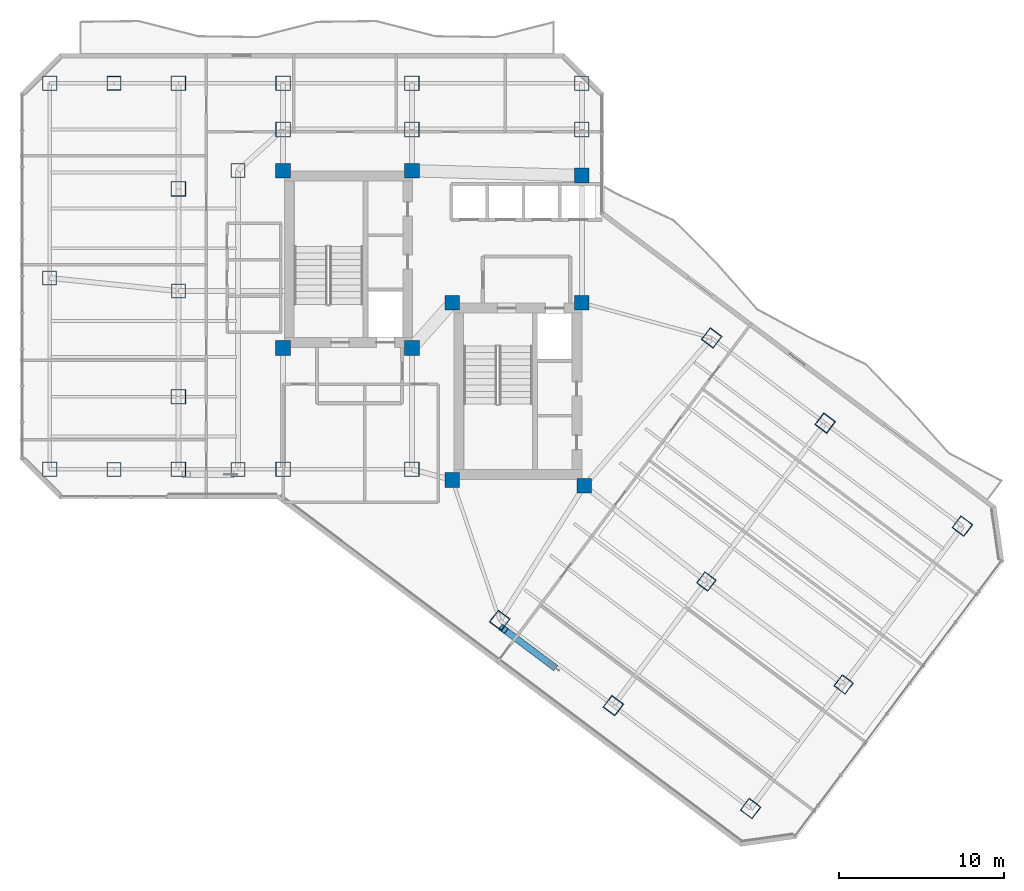
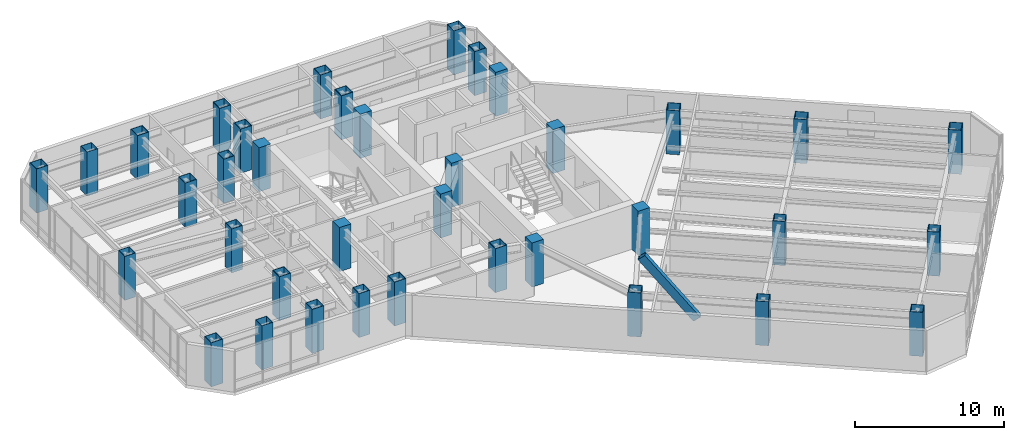
# One storey, part 1 of 31: 37 columns, 1 member.
"""IFC4 building model written with IfcOpenShell, lengths in metres."""

import ifcopenshell
import ifcopenshell.guid

model = None  # the IFC model being written
_history = None  # IfcOwnerHistory: only IFC2X3 demands one
_inside = {}  # id of a spatial element -> (the spatial element, [elements in it])
_under = {}  # id of a project, library or spatial element -> (it, [spatial elements below it])
_declared = {}  # id of a project -> (the project, [libraries it declares])
_typed = {}  # id of a type object -> (the type object, [elements of that type])
_made_of = {}  # id of a material, layer set ... -> (it, [elements and type objects made of it])


def new_model(schema):
    """Start an empty IFC model of exactly this schema.

    Asked for "IFC4X3", IfcOpenShell would pick the latest addendum, in which some entities
    have other attributes; the version numbers below select the first issue.
    IFC2X3 requires an IfcOwnerHistory on every rooted entity: one is made here for all.
    """
    global model, _history
    if schema == "IFC4X3":
        model = ifcopenshell.file(schema_version=(4, 3, 0, 0))
    else:
        model = ifcopenshell.file(schema=schema)
    _inside.clear()
    _under.clear()
    _declared.clear()
    _typed.clear()
    _made_of.clear()
    _history = None
    if model.schema == "IFC2X3":
        org = make("IfcOrganization", Name="unknown")
        user = make(
            "IfcPersonAndOrganization",
            ThePerson=make("IfcPerson", FamilyName="unknown"),
            TheOrganization=org,
        )
        app = make(
            "IfcApplication",
            ApplicationDeveloper=org,
            Version="unknown",
            ApplicationFullName="unknown",
            ApplicationIdentifier="unknown",
        )
        _history = make(
            "IfcOwnerHistory",
            OwningUser=user,
            OwningApplication=app,
            ChangeAction="ADDED",
            CreationDate=0,
        )
    return model


def make(cls, **values):
    """One entity of the class cls with the attributes given. An attribute that is None is left unset."""
    return model.create_entity(
        cls, **{name: value for name, value in values.items() if value is not None}
    )


def rooted(cls, **values):
    """An entity with a GlobalId (a new one), such as an element, a storey or a relation."""
    return make(cls, GlobalId=ifcopenshell.guid.new(), OwnerHistory=_history, **values)


def si_unit(unit_type, name, prefix=None):
    """IfcSIUnit, for example si_unit("LENGTHUNIT", "METRE", prefix="MILLI")."""
    return make("IfcSIUnit", UnitType=unit_type, Prefix=prefix, Name=name)


def assignment(units):
    """IfcUnitAssignment: the units of a project."""
    return None if units is None else make("IfcUnitAssignment", Units=units)


def point(xyz):
    """IfcCartesianPoint."""
    return None if xyz is None else make("IfcCartesianPoint", Coordinates=xyz)


def direction(xyz):
    """IfcDirection."""
    return None if xyz is None else make("IfcDirection", DirectionRatios=xyz)


def frame(location, z_axis=None, x_axis=None):
    """IfcAxis2Placement3D, a coordinate frame: its origin and axes. An axis left out is left unset."""
    return make(
        "IfcAxis2Placement3D",
        Location=point(location),
        Axis=direction(z_axis),
        RefDirection=direction(x_axis),
    )


def frame_2d(location, x_axis=None):
    """IfcAxis2Placement2D, a coordinate frame in the plane: its origin and x axis."""
    return make(
        "IfcAxis2Placement2D", Location=point(location), RefDirection=direction(x_axis)
    )


def origin():
    """The frame at (0, 0, 0) with its axes left unset."""
    return frame((0.0, 0.0, 0.0))


def origin_2d():
    """The frame at (0, 0) in the plane with its x axis left unset."""
    return frame_2d((0.0, 0.0))


def place(relative_to, where):
    """IfcLocalPlacement: puts the frame where relative to a parent placement (None: the world)."""
    return make(
        "IfcLocalPlacement", PlacementRelTo=relative_to, RelativePlacement=where
    )


def context(
    kind, dimensions, precision=None, world=None, true_north=None, identifier=None
):
    """IfcGeometricRepresentationContext, for example the 3D "Model" context."""
    return make(
        "IfcGeometricRepresentationContext",
        ContextIdentifier=identifier,
        ContextType=kind,
        CoordinateSpaceDimension=dimensions,
        Precision=precision,
        WorldCoordinateSystem=world,
        TrueNorth=true_north,
    )


def subcontext(parent, identifier, kind, view, scale=None):
    """IfcGeometricRepresentationSubContext, for example "Body" below "Model"."""
    return make(
        "IfcGeometricRepresentationSubContext",
        ContextIdentifier=identifier,
        ContextType=kind,
        ParentContext=parent,
        TargetScale=scale,
        TargetView=view,
    )


def project(units=None, contexts=None):
    """IfcProject with its units and contexts."""
    return rooted(
        "IfcProject",
        Name="project",
        RepresentationContexts=contexts,
        UnitsInContext=assignment(units),
    )


def spatial(cls, under=None, at=None, **own):
    """A site, building, storey or space (cls), placed at a placement, below another one or the project."""
    s = rooted(cls, ObjectPlacement=at, **own)
    if under is not None:
        _under.setdefault(under.id(), (under, []))[1].append(s)
    return s


def profile(cls, at=None, kind="AREA", **sizes):
    """A parametric profile (cls). Its sizes go by their IFC names, for example OverallWidth=200.0."""
    return make(cls, ProfileType=kind, Position=at, **sizes)


def rectangle(**sizes):
    """IfcRectangleProfileDef."""
    return profile("IfcRectangleProfileDef", **sizes)


def hollow_rectangle(**sizes):
    """IfcRectangleHollowProfileDef."""
    return profile("IfcRectangleHollowProfileDef", **sizes)


def extrude(swept, where, along, depth):
    """IfcExtrudedAreaSolid: the profile swept, set in the frame where, extruded along a direction by depth."""
    return make(
        "IfcExtrudedAreaSolid",
        SweptArea=swept,
        Position=where,
        ExtrudedDirection=direction(along),
        Depth=depth,
    )


def shape(context_of_items, identifier, shape_type, items):
    """IfcShapeRepresentation: the items that make up one representation, for example the "Body"."""
    return make(
        "IfcShapeRepresentation",
        ContextOfItems=context_of_items,
        RepresentationIdentifier=identifier,
        RepresentationType=shape_type,
        Items=items,
    )


def material(Name=None, Category=None):
    """IfcMaterial."""
    return make("IfcMaterial", Name=Name, Category=Category)


def material_profile(
    of_material, cross_section, Name=None, Category=None, Priority=None
):
    """IfcMaterialProfile: a cross section and its material."""
    return make(
        "IfcMaterialProfile",
        Name=Name,
        Material=of_material,
        Profile=cross_section,
        Priority=Priority,
        Category=Category,
    )


def profile_set(profiles, Name=None, composite=None):
    """IfcMaterialProfileSet."""
    return make(
        "IfcMaterialProfileSet",
        Name=Name,
        MaterialProfiles=profiles,
        CompositeProfile=composite,
    )


def made_of(thing, what):
    """Note that an element or type object is made of a material, layer set ...; save() writes the relation."""
    if what is not None:
        _made_of.setdefault(what.id(), (what, []))[1].append(thing)
    return thing


def type_object(cls, material=None, **own):
    """A type object (cls), such as IfcWallType, which elements share."""
    return made_of(rooted(cls, **own), material)


def element(
    cls,
    number,
    at=None,
    inside=None,
    cuts=None,
    type_object=None,
    material=None,
    context=None,
    identifier="Body",
    shape_type=None,
    held_by="IfcProductDefinitionShape",
    body=None,
    shapes=None,
    **own,
):
    """One element of the class cls, such as IfcWall. Its Tag is "e" and its number.

    at: its placement. inside: the storey or other place that contains it. cuts: it is an
    opening in that element (IfcRelVoidsElement). A single representation is given by context,
    identifier, shape_type and body (its items); several are given by shapes. held_by: the class
    of the entity that holds the representations. save() writes the other relations.
    """
    e = rooted(cls, Tag="e%d" % number, ObjectPlacement=at, **own)
    if body is not None:
        shapes = [shape(context, identifier, shape_type, body)]
    if shapes is not None:
        e.Representation = make(held_by, Representations=shapes)
    if inside is not None:
        _inside.setdefault(inside.id(), (inside, []))[1].append(e)
    if cuts is not None:
        rooted(
            "IfcRelVoidsElement", RelatingBuildingElement=cuts, RelatedOpeningElement=e
        )
    if type_object is not None:
        _typed.setdefault(type_object.id(), (type_object, []))[1].append(e)
    return made_of(e, material)


def aggregate(whole, parts):
    """IfcRelAggregates: a whole, such as a stair, and the parts it consists of."""
    return rooted("IfcRelAggregates", RelatingObject=whole, RelatedObjects=parts)


def save(model, path):
    """Write the relations noted so far, then the file.

    IfcRelAggregates (storeys below a building ...), IfcRelContainedInSpatialStructure (elements
    in a storey), IfcRelDefinesByType, IfcRelAssociatesMaterial and IfcRelDeclares: one each for
    every whole, place, type object, material and project.
    """
    for whole, parts in _under.values():
        aggregate(whole, parts)
    for where, things in _inside.values():
        rooted(
            "IfcRelContainedInSpatialStructure",
            RelatedElements=things,
            RelatingStructure=where,
        )
    for kind, things in _typed.values():
        rooted("IfcRelDefinesByType", RelatedObjects=things, RelatingType=kind)
    for what, things in _made_of.values():
        rooted("IfcRelAssociatesMaterial", RelatedObjects=things, RelatingMaterial=what)
    for by, libraries in _declared.values():
        rooted("IfcRelDeclares", RelatingContext=by, RelatedDefinitions=libraries)
    model.write(path)


model = new_model("IFC4")

# Units and contexts
model_context = context("Model", 3, precision=1e-05, world=origin(), true_north=direction((0.0, 1.0)))
body_context = subcontext(model_context, "Body", "Model", "MODEL_VIEW")
ifc_project = project(units=[si_unit("LENGTHUNIT", "METRE"), si_unit("AREAUNIT", "SQUARE_METRE"), si_unit("VOLUMEUNIT", "CUBIC_METRE"), si_unit("PLANEANGLEUNIT", "RADIAN"), si_unit("MASSUNIT", "GRAM", prefix="KILO")], contexts=[model_context])

# Site, building, storey
site_placement = place(None, origin())
site = spatial("IfcSite", under=ifc_project, at=site_placement, CompositionType="ELEMENT")
building_placement = place(site_placement, origin())
building = spatial("IfcBuilding", under=site, at=building_placement, Name="Hatsunagi Terrace Concourse", CompositionType="ELEMENT")
storey_placement = place(building_placement, frame((0.0, 0.0, 122.85009765625)))
storey = spatial("IfcBuildingStorey", under=building, at=storey_placement, Name="L32", CompositionType="ELEMENT", Elevation=122.85009765625)

# Columns
ifc_material_1 = material(Name="Concrete Fc48", Category="concrete")
ifc_material_profile_1 = material_profile(ifc_material_1, rectangle(XDim=0.89990234375, YDim=0.89990234375, at=origin_2d()), Name="RC-900x900")
ifc_profile_set_1 = profile_set([ifc_material_profile_1], Name="Concrete Fc48")
column_type_1 = type_object("IfcColumnType", Name="CoreColumn_RC_900x900", PredefinedType="COLUMN", material=ifc_profile_set_1)
for number, where, z_axis, x_axis, name in (
    (1, (25.550048828125, 32.550048828125, 0.0), (0.0, 0.0, 1.0), (1.0, 0.0, 0.0), "Column C-02 L32-CASW"),
    (2, (33.35009765625, 32.550048828125, 0.0), (0.0, 0.0, 1.0), (1.0, 0.0, 0.0), "Column C-02 L32-CASE"),
    (3, (25.550048828125, 43.300048828125, 0.0), (0.0, 0.0, 1.0), (1.0, 0.0, 0.0), "Column C-02 L32-CANW"),
    (4, (33.35009765625, 43.300048828125, 0.0), (0.0, 0.0, 1.0), (1.0, 0.0, 0.0), "Column C-02 L32-CANE"),
    (5, (35.800048828125, 24.550048828125, 0.0), (0.0, 0.0, 1.0), (1.0, 0.0, 0.0), "Column C-02 L32-CBSW"),
    (6, (43.800048828125, 24.199951171875, 0.0), (0.0, 0.0, 1.0), (1.0, 0.0, 0.0), "Column C-02 L32-CBSE"),
    (7, (35.800048828125, 35.300048828125, 0.0), (0.0, 0.0, 1.0), (1.0, 0.0, 0.0), "Column C-02 L32-CBNW"),
    (8, (43.64990234375, 35.300048828125, 0.0), (0.0, 0.0, 1.0), (1.0, 0.0, 0.0), "Column C-02 L32-CBNE"),
    (9, (43.64990234375, 43.0, 0.0), (0.0, 0.0, 1.0), (1.0, 0.0, 0.0), "Column C-02 L32-K3"),
):
    element("IfcColumn", number, at=place(storey_placement, frame(where, z_axis=z_axis, x_axis=x_axis)), inside=storey, type_object=column_type_1, Name=name, PredefinedType="COLUMN", context=body_context, shape_type="SweptSolid", body=[
        extrude(rectangle(XDim=0.89990234375, YDim=0.89990234375, at=origin_2d()), origin(), (0.0, 0.0, 1.0), 3.599853515625),
    ])
ifc_material_2 = material(Name="Steel BCP325T", Category="steel")
ifc_material_profile_2 = material_profile(ifc_material_2, hollow_rectangle(XDim=0.85009765625, YDim=0.85009765625, WallThickness=0.031982421875, at=origin_2d()), Name="BCP-850x850x32")
ifc_profile_set_2 = profile_set([ifc_material_profile_2], Name="Steel BCP325T")
column_type_2 = type_object("IfcColumnType", Name="TowerBoxColumn_850x850x32", PredefinedType="COLUMN", material=ifc_profile_set_2)
for number, where, z_axis, x_axis, name in (
    (10, (22.800048828125, 25.199951171875, 0.0), (0.0, 0.0, 1.0), (1.0, 0.0, 0.0), "Column C-05 L32-CW1"),
    (11, (22.800048828125, 43.300048828125, 0.0), (0.0, 0.0, 1.0), (1.0, 0.0, 0.0), "Column C-05 L32-CW2"),
    (12, (11.39990234375, 36.800048828125, 0.0), (0.0, 0.0, 1.0), (1.0, 0.0, 0.0), "Column C-05 L32-WT1"),
    (13, (19.199951171875, 36.0, 0.0), (0.0, 0.0, 1.0), (1.0, 0.0, 0.0), "Column C-05 L32-WT2"),
    (14, (15.300048828125, 25.199951171875, 0.0), (0.0, 0.0, 1.0), (1.0, 0.0, 0.0), "Column C-05 L32-WT3"),
    (15, (15.300048828125, 48.60009765625, 0.0), (0.0, 0.0, 1.0), (1.0, 0.0, 0.0), "Column C-05 L32-WT4"),
    (16, (51.199951171875, 18.39990234375, 0.0), (0.0, 0.0, 1.0), (0.799999996291, -0.600000004945, 0.0), "Column C-05 L32-SEM2"),
    (17, (59.52001953125, 12.159912109375, 0.0), (0.0, 0.0, 1.0), (0.799999996291, -0.600000004945, 0.0), "Column C-05 L32-SEM3"),
):
    element("IfcColumn", number, at=place(storey_placement, frame(where, z_axis=z_axis, x_axis=x_axis)), inside=storey, type_object=column_type_2, Name=name, PredefinedType="COLUMN", context=body_context, shape_type="SweptSolid", body=[
        extrude(hollow_rectangle(XDim=0.85009765625, YDim=0.85009765625, WallThickness=0.031982421875, at=origin_2d()), origin(), (0.0, 0.0, 1.0), 3.599853515625),
    ])
ifc_material_3 = material(Name="Steel BCP325T", Category="steel")
ifc_material_profile_3 = material_profile(ifc_material_3, hollow_rectangle(XDim=0.89990234375, YDim=0.89990234375, WallThickness=0.035888671875, at=origin_2d()), Name="BCP-900x900x36")
ifc_profile_set_3 = profile_set([ifc_material_profile_3], Name="Steel BCP325T")
column_type_3 = type_object("IfcColumnType", Name="TowerBoxColumn_900x900x36", PredefinedType="COLUMN", material=ifc_profile_set_3)
for number, where, z_axis, x_axis, name in (
    (18, (25.550048828125, 25.199951171875, 0.0), (0.0, 0.0, 1.0), (1.0, 0.0, 0.0), "Column C-04 L32-K1"),
    (19, (33.35009765625, 25.199951171875, 0.0), (0.0, 0.0, 1.0), (1.0, 0.0, 0.0), "Column C-04 L32-K2"),
    (20, (25.550048828125, 45.800048828125, 0.0), (0.0, 0.0, 1.0), (1.0, 0.0, 0.0), "Column C-04 L32-CN1"),
    (21, (33.35009765625, 45.800048828125, 0.0), (0.0, 0.0, 1.0), (1.0, 0.0, 0.0), "Column C-04 L32-CN2"),
    (22, (43.64990234375, 45.800048828125, 0.0), (0.0, 0.0, 1.0), (1.0, 0.0, 0.0), "Column C-04 L32-CN3"),
    (23, (11.39990234375, 25.199951171875, 0.0), (0.0, 0.0, 1.0), (1.0, 0.0, 0.0), "Column C-04 L32-WS2"),
    (24, (11.39990234375, 48.60009765625, 0.0), (0.0, 0.0, 1.0), (1.0, 0.0, 0.0), "Column C-04 L32-WN2"),
    (25, (19.199951171875, 48.60009765625, 0.0), (0.0, 0.0, 1.0), (1.0, 0.0, 0.0), "Column C-04 L32-WN3"),
    (26, (25.550048828125, 48.60009765625, 0.0), (0.0, 0.0, 1.0), (1.0, 0.0, 0.0), "Column C-04 L32-WN4"),
    (27, (33.35009765625, 48.60009765625, 0.0), (0.0, 0.0, 1.0), (1.0, 0.0, 0.0), "Column C-04 L32-WN5"),
    (28, (43.64990234375, 48.60009765625, 0.0), (0.0, 0.0, 1.0), (1.0, 0.0, 0.0), "Column C-04 L32-WN6"),
    (29, (19.199951171875, 25.199951171875, 0.0), (0.0, 0.0, 1.0), (1.0, 0.0, 0.0), "Column C-04 L32-WS3"),
    (30, (19.199951171875, 29.60009765625, 0.0), (0.0, 0.0, 1.0), (1.0, 0.0, 0.0), "Column C-04 L32-WR1"),
    (31, (19.199951171875, 42.199951171875, 0.0), (0.0, 0.0, 1.0), (1.0, 0.0, 0.0), "Column C-04 L32-WR2"),
    (32, (38.679931640625, 16.0400390625, 0.0), (0.0, 0.0, 1.0), (0.799999996291, -0.600000004945, 0.0), "Column C-04 L32-SES1"),
    (33, (51.52001953125, 33.159912109375, 0.0), (0.0, 0.0, 1.0), (0.799999996291, -0.600000004945, 0.0), "Column C-04 L32-SEN1"),
    (34, (45.56005859375, 10.8798828125, 0.0), (0.0, 0.0, 1.0), (0.799999996291, -0.600000004945, 0.0), "Column C-04 L32-SES2"),
    (35, (58.39990234375, 28.0, 0.0), (0.0, 0.0, 1.0), (0.799999996291, -0.600000004945, 0.0), "Column C-04 L32-SEN2"),
    (36, (53.8798828125, 4.639892578125, 0.0), (0.0, 0.0, 1.0), (0.799999996291, -0.600000004945, 0.0), "Column C-04 L32-SES3"),
    (37, (66.719970703125, 21.760009765625, 0.0), (0.0, 0.0, 1.0), (0.799999996291, -0.600000004945, 0.0), "Column C-04 L32-SEN3"),
):
    element("IfcColumn", number, at=place(storey_placement, frame(where, z_axis=z_axis, x_axis=x_axis)), inside=storey, type_object=column_type_3, Name=name, PredefinedType="COLUMN", context=body_context, shape_type="SweptSolid", body=[
        extrude(hollow_rectangle(XDim=0.89990234375, YDim=0.89990234375, WallThickness=0.035888671875, at=origin_2d()), origin(), (0.0, 0.0, 1.0), 3.599853515625),
    ])

# Member
ifc_material_4 = material(Name="Steel SN490B", Category="steel")
ifc_material_profile_4 = material_profile(ifc_material_4, hollow_rectangle(XDim=0.39990234375, YDim=0.60009765625, WallThickness=0.02490234375, at=origin_2d()), Name="RHS-600x400x25")
ifc_profile_set_4 = profile_set([ifc_material_profile_4], Name="Steel SN490B")
member_type = type_object("IfcMemberType", Name="PerimeterXBrace_Mid_RHS_600x400x25", PredefinedType="BRACE", material=ifc_profile_set_4)
member_placement = place(storey_placement, frame((38.89208984375, 15.531005859375, 6.510009765625), z_axis=(0.496408965063, -0.372256073956, -0.784221623527), x_axis=(0.599947755529, 0.800039180688, 0.0)))
element("IfcMember", 38, at=member_placement, inside=storey, type_object=member_type, Name="Perimeter X-Brace Split Upper XB-02 XB-L31-SEB1", PredefinedType="BRACE", context=body_context, shape_type="SweptSolid", body=[
    extrude(hollow_rectangle(XDim=0.39990234375, YDim=0.60009765625, WallThickness=0.02490234375, at=origin_2d()), origin(), (0.0, 0.0, 1.0), 6.025146484375),
])

save(model, "model.ifc")
